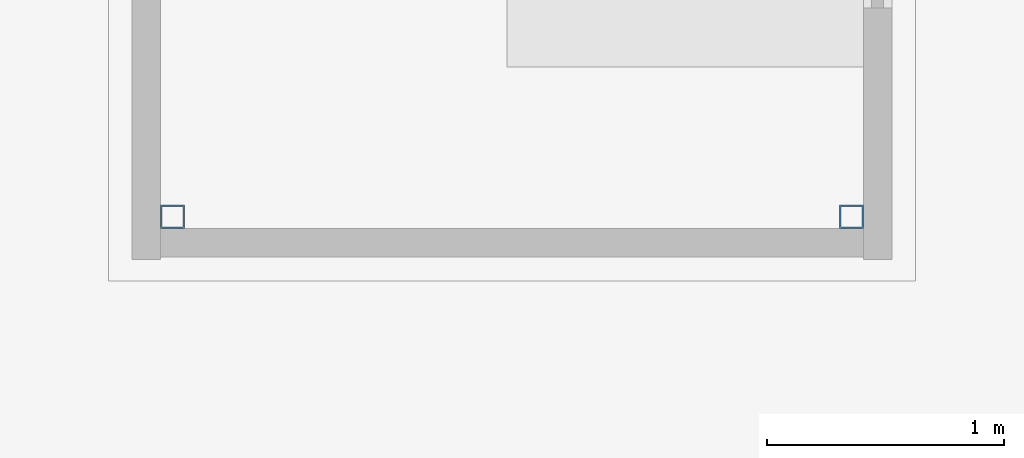
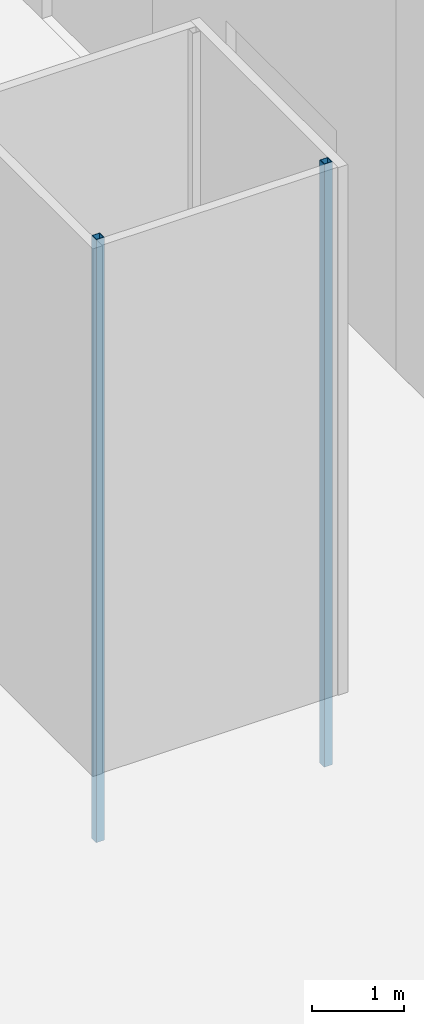
# One storey, part 8 of 92: 2 members.
"""IFC4 building model written with IfcOpenShell, lengths in metres."""

from ifc_helpers import new_model, si_unit, direction, frame, origin, origin_2d, place, context, subcontext, project, spatial, hollow_rectangle, extrude, material, material_profile, profile_set, type_object, element, save


model = new_model("IFC4")

# Units and contexts
model_context = context("Model", 3, precision=1e-05, world=origin(), true_north=direction((0.0, 1.0)))
body_context = subcontext(model_context, "Body", "Model", "MODEL_VIEW")
ifc_project = project(units=[si_unit("LENGTHUNIT", "METRE"), si_unit("AREAUNIT", "SQUARE_METRE"), si_unit("VOLUMEUNIT", "CUBIC_METRE"), si_unit("PLANEANGLEUNIT", "RADIAN"), si_unit("MASSUNIT", "GRAM", prefix="KILO")], contexts=[model_context])

# Site, building, storey
site_placement = place(None, origin())
site = spatial("IfcSite", under=ifc_project, at=site_placement, CompositionType="ELEMENT")
building_placement = place(site_placement, origin())
building = spatial("IfcBuilding", under=site, at=building_placement, Name="Silverbay Arena", CompositionType="ELEMENT")
storey_placement = place(building_placement, origin())
storey = spatial("IfcBuildingStorey", under=building, at=storey_placement, Name="L00", CompositionType="ELEMENT", Elevation=0.0)

# Members
ifc_material = material(Name="Steel S355", Category="steel")
ifc_material_profile = material_profile(ifc_material, hollow_rectangle(XDim=0.10009765625, YDim=0.10009765625, WallThickness=0.006103515625, at=origin_2d()), Name="RHS 100x100x6")
ifc_profile_set = profile_set([ifc_material_profile], Name="Steel S355")
member_type = type_object("IfcMemberType", Name="Glazing post RHS 100 x 100 x 6", PredefinedType="POST", material=ifc_profile_set)
for number, where, z_axis, x_axis, name in (
    (1, (19.969970703125, 31.169921875, -1.0), (0.0, 0.0, 1.0), (1.0, 0.0, 0.0), "Glazing post LB-D1 1 L00"),
    (2, (22.830078125, 31.169921875, -1.0), (0.0, 0.0, 1.0), (1.0, 0.0, 0.0), "Glazing post LB-D1 2 L00"),
):
    element("IfcMember", number, at=place(storey_placement, frame(where, z_axis=z_axis, x_axis=x_axis)), inside=storey, type_object=member_type, Name=name, PredefinedType="POST", context=body_context, shape_type="SweptSolid", body=[
        extrude(hollow_rectangle(XDim=0.10009765625, YDim=0.10009765625, WallThickness=0.006103515625, at=origin_2d()), origin(), (0.0, 0.0, 1.0), 8.0),
    ])

save(model, "model.ifc")
